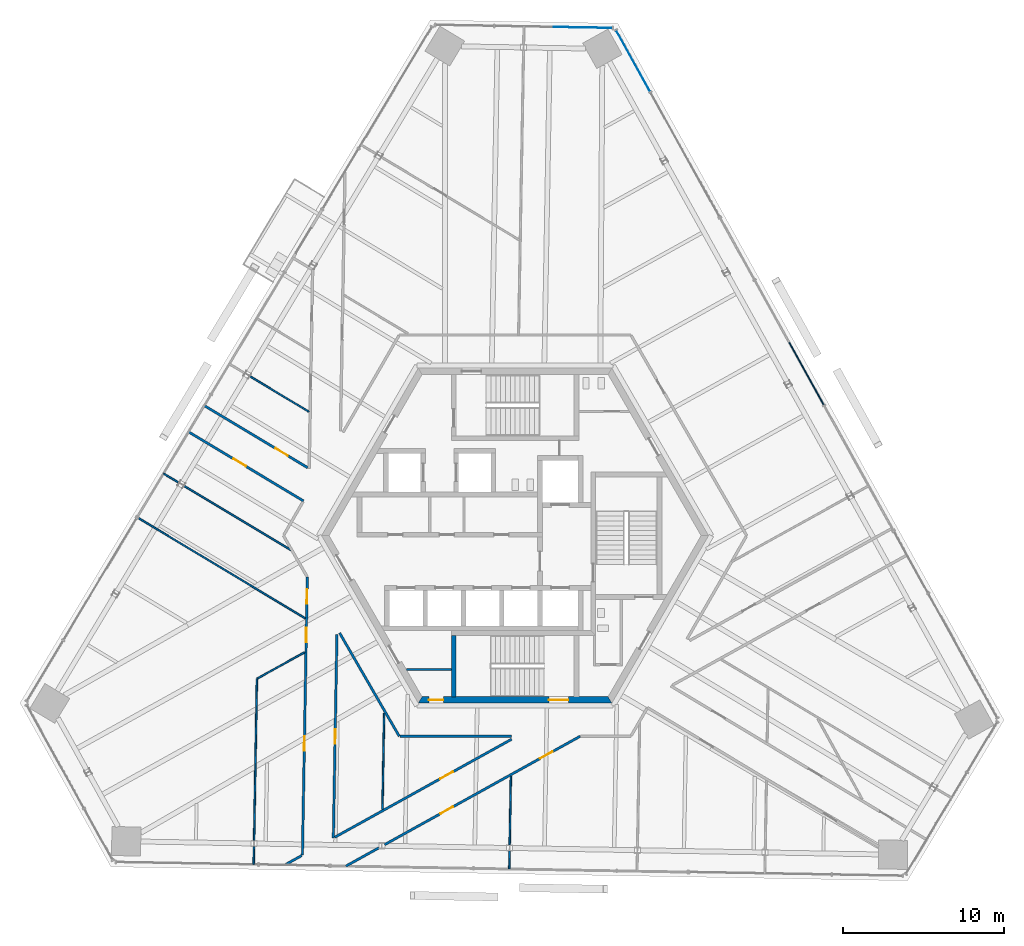
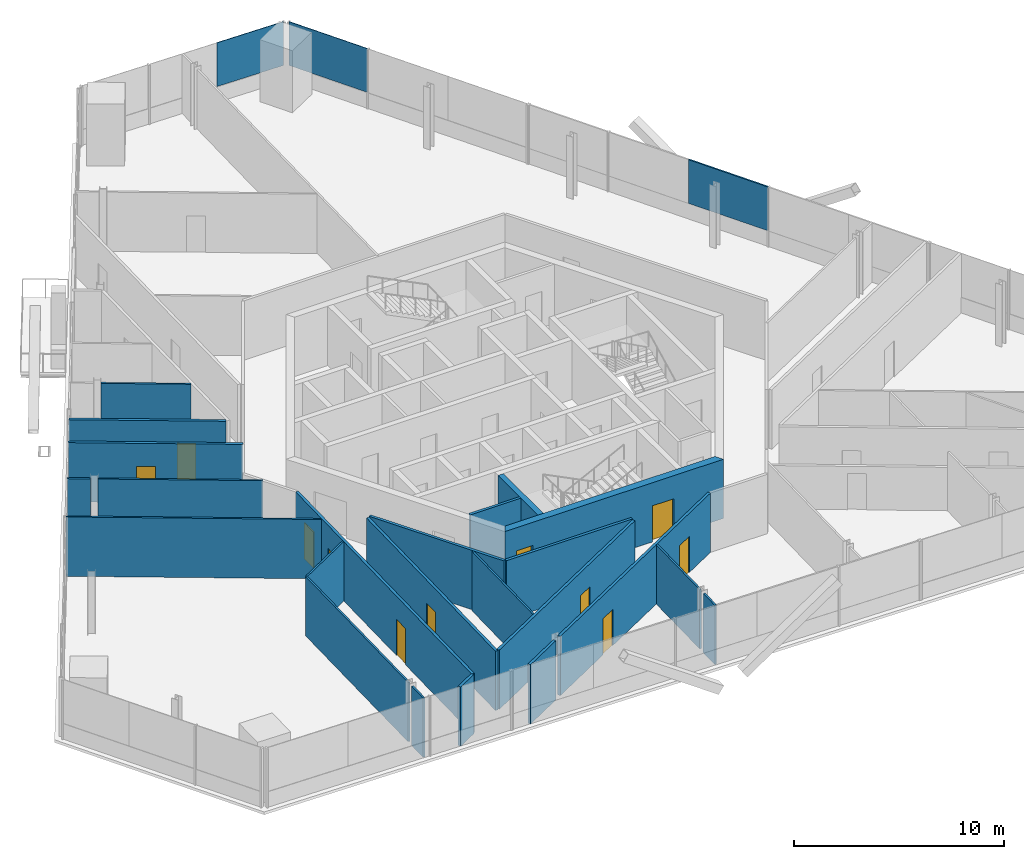
# One storey, part 11 of 18: 23 walls, 11 doors, 3 plates, 11 openings, 3 elements without a shape of their own.
"""IFC4 building model written with IfcOpenShell, lengths in metres."""

from ifc_helpers import new_model, si_unit, direction, frame, frame_2d, origin, origin_2d, place, context, subcontext, project, spatial, polyline, rectangle, outline, extrude, source, transform, mapped, material, layer, layer_set, type_object, element, fill, aggregate, save


model = new_model("IFC4")

# Units and contexts
model_context = context("Model", 3, precision=1e-05, world=origin(), true_north=direction((0.0, 1.0)))
body_context = subcontext(model_context, "Body", "Model", "MODEL_VIEW")
ifc_project = project(units=[si_unit("LENGTHUNIT", "METRE"), si_unit("AREAUNIT", "SQUARE_METRE"), si_unit("VOLUMEUNIT", "CUBIC_METRE"), si_unit("PLANEANGLEUNIT", "RADIAN"), si_unit("MASSUNIT", "GRAM", prefix="KILO")], contexts=[model_context])

# Site, building, storey
site_placement = place(None, origin())
site = spatial("IfcSite", under=ifc_project, at=site_placement, CompositionType="ELEMENT")
building_placement = place(site_placement, origin())
building = spatial("IfcBuilding", under=site, at=building_placement, Name="Triune Harvest Tower", CompositionType="ELEMENT")
storey_placement = place(building_placement, frame((0.0, 0.0, 197.89990234375)))
storey = spatial("IfcBuildingStorey", under=building, at=storey_placement, Name="L51", CompositionType="ELEMENT", Elevation=197.89990234375)

# Curtain wall, plate
ifc_material_1 = material(Name="Aluminium bronze anodised", Category="aluminium")
curtain_wall_type_1 = type_object("IfcCurtainWallType", Name="CW-1 Tower stick curtain wall", PredefinedType="NOTDEFINED", material=ifc_material_1)
curtain_wall_1_placement = place(storey_placement, origin())
curtain_wall_1 = element("IfcCurtainWall", 1, at=curtain_wall_1_placement, inside=storey, type_object=curtain_wall_type_1, Name="CW-1 B5-F2 L51 run 1")
ifc_material_2 = material(Name="Glass", Category="glass")
ifc_layer_1 = layer(ifc_material_2, 0.031982421875)
ifc_layer_set_1 = layer_set([ifc_layer_1], Name="Glass")
plate_type_1 = type_object("IfcPlateType", Name="GL-1 panel 32", PredefinedType="CURTAIN_PANEL", material=ifc_layer_set_1)
shared_shape_1 = source(origin(), body_context, "Body", "SweptSolid", [
    extrude(rectangle(XDim=3.625, YDim=0.031982421875, at=origin_2d()), origin(), (0.0, 0.0, 1.0), 2.5400390625),
])
plate_1_placement = place(storey_placement, frame((4.213134765625, 31.516357421875, 0.900146484375), z_axis=(0.0, 0.0, 1.0), x_axis=(-0.999847801404, 0.017446318452, 0.0)))
plate_1 = element("IfcPlate", 2, at=plate_1_placement, type_object=plate_type_1, Name="CW-1 panel B5-F2 1.1", PredefinedType="CURTAIN_PANEL", context=body_context, shape_type="MappedRepresentation", body=[
    mapped(shared_shape_1, transform((0.0, 0.0, 0.0), scale=1.0)),
])
aggregate(curtain_wall_1, [plate_1])

ifc_material_3 = material(Name="Aluminium bronze anodised", Category="aluminium")
curtain_wall_type_2 = type_object("IfcCurtainWallType", Name="CW-7 Tower stick curtain wall with insulated spandrel infill", PredefinedType="NOTDEFINED", material=ifc_material_3)
curtain_wall_2_placement = place(storey_placement, origin())
curtain_wall_2 = element("IfcCurtainWall", 3, at=curtain_wall_2_placement, inside=storey, type_object=curtain_wall_type_2, Name="CW-7 B5-F1 L51 run 1001")
ifc_material_4 = material(Name="Insulated spandrel panel, bronze aluminium pan", Category="aluminium")
ifc_layer_2 = layer(ifc_material_4, 0.080078125)
ifc_layer_set_2 = layer_set([ifc_layer_2], Name="Insulated spandrel panel, bronze aluminium pan")
plate_type_2 = type_object("IfcPlateType", Name="SP-1 insulated spandrel panel 80", PredefinedType="CURTAIN_PANEL", material=ifc_layer_set_2)
shared_shape_2 = source(origin(), body_context, "Body", "SweptSolid", [
    extrude(rectangle(XDim=4.40673828125, YDim=0.080078125, at=origin_2d()), origin(), (0.0, 0.0, 1.0), 2.5400390625),
])
plate_2_placement = place(storey_placement, frame((18.075439453125, 10.040771484375, 0.900146484375), z_axis=(0.0, 0.0, 1.0), x_axis=(-0.484809369748, 0.874619845993, 0.0)))
plate_2 = element("IfcPlate", 4, at=plate_2_placement, type_object=plate_type_2, Name="CW-7 panel B5-F1 1001.3", PredefinedType="CURTAIN_PANEL", context=body_context, shape_type="MappedRepresentation", body=[
    mapped(shared_shape_2, transform((0.0, 0.0, 0.0), scale=1.0)),
])
aggregate(curtain_wall_2, [plate_2])

curtain_wall_3_placement = place(storey_placement, origin())
curtain_wall_3 = element("IfcCurtainWall", 5, at=curtain_wall_3_placement, inside=storey, type_object=curtain_wall_type_1, Name="CW-1 B5-F1 L51 run 2001")
shared_shape_3 = source(origin(), body_context, "Body", "SweptSolid", [
    extrude(rectangle(XDim=4.331787109375, YDim=0.031982421875, at=origin_2d()), origin(), (0.0, 0.0, 1.0), 2.5400390625),
])
plate_3_placement = place(storey_placement, frame((7.320556640625, 29.443359375, 0.900146484375), z_axis=(0.0, 0.0, 1.0), x_axis=(-0.484807744147, 0.874620747076, 0.0)))
plate_3 = element("IfcPlate", 6, at=plate_3_placement, type_object=plate_type_1, Name="CW-1 panel B5-F1 2001.3", PredefinedType="CURTAIN_PANEL", context=body_context, shape_type="MappedRepresentation", body=[
    mapped(shared_shape_3, transform((0.0, 0.0, 0.0), scale=1.0)),
])
aggregate(curtain_wall_3, [plate_3])

# Wall
ifc_material_5 = material(Name="Gypsum board on steel studs", Category="steel")
ifc_layer_3 = layer(ifc_material_5, 0.14990234375)
ifc_layer_set_3 = layer_set([ifc_layer_3], Name="Gypsum board on steel studs")
wall_type_1 = type_object("IfcWallType", Name="Fire Partition 150 mm", PredefinedType="PARTITIONING", material=ifc_layer_set_3)
wall_1_placement = place(storey_placement, frame((-10.885498046875, -6.030517578125, 0.0), z_axis=(0.0, 0.0, 1.0), x_axis=(0.499966047133, -0.866045005594, 0.0)))
element("IfcWall", 7, at=wall_1_placement, inside=storey, type_object=wall_type_1, Name="Partition L51 003", PredefinedType="PARTITIONING", context=body_context, shape_type="SweptSolid", body=[
    extrude(rectangle(XDim=7.4033203125, YDim=0.14990234375, at=frame_2d((3.70166015625, 0.0))), origin(), (0.0, 0.0, 1.0), 3.440185546875),
])

# Wall, opening, door
wall_2_placement = place(storey_placement, frame((-20.25439453125, 6.4375, 0.0), z_axis=(0.0, 0.0, 1.0), x_axis=(0.857176827025, -0.515022220114, 0.0)))
wall_2 = element("IfcWall", 8, at=wall_2_placement, inside=storey, type_object=wall_type_1, Name="Partition L51 008", PredefinedType="PARTITIONING", context=body_context, shape_type="SweptSolid", body=[
    extrude(rectangle(XDim=8.318359375, YDim=0.14990234375, at=frame_2d((4.1591796875, 0.0))), origin(), (0.0, 0.0, 1.0), 3.440185546875),
])
opening_1_placement = place(wall_2_placement, frame((3.25, 0.0, 0.0)))
opening_1 = element("IfcOpeningElement", 9, at=opening_1_placement, cuts=wall_2, Name="Opening L51-009", PredefinedType="OPENING", context=body_context, shape_type="SweptSolid", body=[
    extrude(rectangle(XDim=0.89990234375, YDim=2.10009765625, at=frame_2d((0.449951171875, 1.050048828125))), frame((0.0, 0.0849609375, 0.0), z_axis=(0.0, -1.0, 0.0), x_axis=(1.0, 0.0, 0.0)), (0.0, 0.0, 1.0), 0.169921875),
])
ifc_material_6 = material(Name="Timber and steel door set", Category="steel")
door_type_1 = type_object("IfcDoorType", Name="Single leaf door FD30 right hand 900 x 2100", OperationType="SINGLE_SWING_RIGHT", PredefinedType="DOOR", material=ifc_material_6)
door_1_placement = place(opening_1_placement, origin())
door_1 = element("IfcDoor", 10, at=door_1_placement, inside=storey, type_object=door_type_1, Name="Door L51-009 Meeting Room 51.09", OperationType="SINGLE_SWING_RIGHT", OverallHeight=2.10009765625, OverallWidth=0.89990234375, PredefinedType="DOOR", context=body_context, shape_type="SweptSolid", body=[
    extrude(rectangle(XDim=0.89990234375, YDim=2.10009765625, at=frame_2d((0.449951171875, 1.050048828125))), frame((0.0, 0.02490234375, 0.0), z_axis=(0.0, -1.0, 0.0), x_axis=(1.0, 0.0, 0.0)), (0.0, 0.0, 1.0), 0.050048828125),
])
fill(opening_1, door_1)

wall_3_placement = place(storey_placement, frame((-19.27587890625, 8.06640625, 0.0), z_axis=(0.0, 0.0, 1.0), x_axis=(0.857170192989, -0.515033261306, 0.0)))
wall_3 = element("IfcWall", 11, at=wall_3_placement, inside=storey, type_object=wall_type_1, Name="Partition L51 010", PredefinedType="PARTITIONING", context=body_context, shape_type="SweptSolid", body=[
    extrude(rectangle(XDim=7.479736328125, YDim=0.14990234375, at=frame_2d((3.73974609375, 0.0))), origin(), (0.0, 0.0, 1.0), 3.440185546875),
])
opening_2_placement = place(wall_3_placement, frame((5.1396484375, 0.0, 0.0)))
opening_2 = element("IfcOpeningElement", 12, at=opening_2_placement, cuts=wall_3, Name="Opening L51-010", PredefinedType="OPENING", context=body_context, shape_type="SweptSolid", body=[
    extrude(rectangle(XDim=0.89990234375, YDim=2.10009765625, at=frame_2d((0.449951171875, 1.050048828125))), frame((0.0, 0.0849609375, 0.0), z_axis=(0.0, -1.0, 0.0), x_axis=(1.0, 0.0, 0.0)), (0.0, 0.0, 1.0), 0.169921875),
])
door_2_placement = place(opening_2_placement, origin())
door_2 = element("IfcDoor", 13, at=door_2_placement, inside=storey, type_object=door_type_1, Name="Door L51-010 Office 51.10", OperationType="SINGLE_SWING_RIGHT", OverallHeight=2.10009765625, OverallWidth=0.89990234375, PredefinedType="DOOR", context=body_context, shape_type="SweptSolid", body=[
    extrude(rectangle(XDim=0.89990234375, YDim=2.10009765625, at=frame_2d((0.449951171875, 1.050048828125))), frame((0.0, 0.02490234375, 0.0), z_axis=(0.0, -1.0, 0.0), x_axis=(1.0, 0.0, 0.0)), (0.0, 0.0, 1.0), 0.050048828125),
])
fill(opening_2, door_2)

# Walls
wall_4_placement = place(storey_placement, frame((-7.1435546875, -12.4423828125, 0.0), z_axis=(0.0, 0.0, 1.0), x_axis=(1.0, 0.0, 0.0)))
element("IfcWall", 14, at=wall_4_placement, inside=storey, type_object=wall_type_1, Name="Partition L51 021", PredefinedType="PARTITIONING", context=body_context, shape_type="SweptSolid", body=[
    extrude(rectangle(XDim=6.929443359375, YDim=0.14990234375, at=frame_2d((3.46484375, 0.0))), origin(), (0.0, 0.0, 1.0), 3.440185546875),
])
wall_5_placement = place(storey_placement, frame((-10.491455078125, -20.4970703125, 0.0), z_axis=(0.0, 0.0, 1.0), x_axis=(0.874638459137, 0.484775789204, 0.0)))
element("IfcWall", 15, at=wall_5_placement, inside=storey, type_object=wall_type_1, Name="Partition L51 024", PredefinedType="PARTITIONING", context=body_context, shape_type="SweptSolid", body=[
    extrude(rectangle(XDim=2.34326171875, YDim=0.14990234375, at=frame_2d((1.171630859375, 0.0))), origin(), (0.0, 0.0, 1.0), 3.440185546875),
])

# Wall, openings, doors
wall_6_placement = place(storey_placement, frame((-8.08740234375, -19.16455078125, 0.0), z_axis=(0.0, 0.0, 1.0), x_axis=(0.874621151909, 0.484807013804, 0.0)))
wall_6 = element("IfcWall", 16, at=wall_6_placement, inside=storey, type_object=wall_type_1, Name="Partition L51 025", PredefinedType="PARTITIONING", context=body_context, shape_type="SweptSolid", body=[
    extrude(rectangle(XDim=13.86572265625, YDim=0.14990234375, at=frame_2d((6.932861328125, 0.0))), origin(), (0.0, 0.0, 1.0), 3.440185546875),
])
opening_3_placement = place(wall_6_placement, frame((3.947509765625, 0.0, 0.0)))
opening_3 = element("IfcOpeningElement", 17, at=opening_3_placement, cuts=wall_6, Name="Opening L51-016", PredefinedType="OPENING", context=body_context, shape_type="SweptSolid", body=[
    extrude(rectangle(XDim=0.89990234375, YDim=2.10009765625, at=frame_2d((0.449951171875, 1.050048828125))), frame((0.0, 0.0849609375, 0.0), z_axis=(0.0, -1.0, 0.0), x_axis=(1.0, 0.0, 0.0)), (0.0, 0.0, 1.0), 0.169921875),
])
opening_4_placement = place(wall_6_placement, frame((11.0009765625, 0.0, 0.0)))
opening_4 = element("IfcOpeningElement", 18, at=opening_4_placement, cuts=wall_6, Name="Opening L51-017", PredefinedType="OPENING", context=body_context, shape_type="SweptSolid", body=[
    extrude(rectangle(XDim=0.89990234375, YDim=2.10009765625, at=frame_2d((0.449951171875, 1.050048828125))), frame((0.0, 0.0849609375, 0.0), z_axis=(0.0, -1.0, 0.0), x_axis=(1.0, 0.0, 0.0)), (0.0, 0.0, 1.0), 0.169921875),
])
ifc_material_7 = material(Name="Timber and steel door set", Category="steel")
door_type_2 = type_object("IfcDoorType", Name="Single leaf door FD30 left hand 900 x 2100", OperationType="SINGLE_SWING_LEFT", PredefinedType="DOOR", material=ifc_material_7)
door_3_placement = place(opening_4_placement, origin())
door_3 = element("IfcDoor", 19, at=door_3_placement, inside=storey, type_object=door_type_2, Name="Door L51-017 Office 51.17", OperationType="SINGLE_SWING_LEFT", OverallHeight=2.10009765625, OverallWidth=0.89990234375, PredefinedType="DOOR", context=body_context, shape_type="SweptSolid", body=[
    extrude(rectangle(XDim=0.89990234375, YDim=2.10009765625, at=frame_2d((0.449951171875, 1.050048828125))), frame((0.0, 0.02490234375, 0.0), z_axis=(0.0, -1.0, 0.0), x_axis=(1.0, 0.0, 0.0)), (0.0, 0.0, 1.0), 0.050048828125),
])
fill(opening_4, door_3)
door_4_placement = place(opening_3_placement, origin())
door_4 = element("IfcDoor", 20, at=door_4_placement, inside=storey, type_object=door_type_1, Name="Door L51-016 Open Office 51.16", OperationType="SINGLE_SWING_RIGHT", OverallHeight=2.10009765625, OverallWidth=0.89990234375, PredefinedType="DOOR", context=body_context, shape_type="SweptSolid", body=[
    extrude(rectangle(XDim=0.89990234375, YDim=2.10009765625, at=frame_2d((0.449951171875, 1.050048828125))), frame((0.0, 0.02490234375, 0.0), z_axis=(0.0, -1.0, 0.0), x_axis=(1.0, 0.0, 0.0)), (0.0, 0.0, 1.0), 0.050048828125),
])
fill(opening_3, door_4)

# Wall
wall_7_placement = place(storey_placement, frame((-14.290771484375, -20.430908203125, 0.0), z_axis=(0.0, 0.0, 1.0), x_axis=(0.874566260636, 0.484906027759, 0.0)))
element("IfcWall", 21, at=wall_7_placement, inside=storey, type_object=wall_type_1, Name="Partition L51 027", PredefinedType="PARTITIONING", context=body_context, shape_type="SweptSolid", body=[
    extrude(rectangle(XDim=1.2099609375, YDim=0.14990234375, at=frame_2d((0.60498046875, 0.0))), origin(), (0.0, 0.0, 1.0), 3.440185546875),
])

# Wall, opening, door
wall_8_placement = place(storey_placement, frame((-11.173583984375, -18.702880859375, 0.0), z_axis=(0.0, 0.0, 1.0), x_axis=(0.874621136769, 0.484807041116, 0.0)))
wall_8 = element("IfcWall", 22, at=wall_8_placement, inside=storey, type_object=wall_type_1, Name="Partition L51 028", PredefinedType="PARTITIONING", context=body_context, shape_type="SweptSolid", body=[
    extrude(rectangle(XDim=12.526611328125, YDim=0.14990234375, at=frame_2d((6.26318359375, 0.0))), origin(), (0.0, 0.0, 1.0), 3.440185546875),
])
opening_5_placement = place(wall_8_placement, frame((7.47314453125, 0.0, 0.0)))
opening_5 = element("IfcOpeningElement", 23, at=opening_5_placement, cuts=wall_8, Name="Opening L51-015", PredefinedType="OPENING", context=body_context, shape_type="SweptSolid", body=[
    extrude(rectangle(XDim=0.89990234375, YDim=2.10009765625, at=frame_2d((0.449951171875, 1.050048828125))), frame((0.0, 0.0849609375, 0.0), z_axis=(0.0, -1.0, 0.0), x_axis=(1.0, 0.0, 0.0)), (0.0, 0.0, 1.0), 0.169921875),
])
door_5_placement = place(opening_5_placement, origin())
door_5 = element("IfcDoor", 24, at=door_5_placement, inside=storey, type_object=door_type_1, Name="Door L51-015 Open Office 51.15", OperationType="SINGLE_SWING_RIGHT", OverallHeight=2.10009765625, OverallWidth=0.89990234375, PredefinedType="DOOR", context=body_context, shape_type="SweptSolid", body=[
    extrude(rectangle(XDim=0.89990234375, YDim=2.10009765625, at=frame_2d((0.449951171875, 1.050048828125))), frame((0.0, 0.02490234375, 0.0), z_axis=(0.0, -1.0, 0.0), x_axis=(1.0, 0.0, 0.0)), (0.0, 0.0, 1.0), 0.050048828125),
])
fill(opening_5, door_5)

wall_9_placement = place(storey_placement, frame((-11.27001953125, -18.75634765625, 0.0), z_axis=(0.0, 0.0, 1.0), x_axis=(0.017464922205, 0.999847476615, 0.0)))
wall_9 = element("IfcWall", 25, at=wall_9_placement, inside=storey, type_object=wall_type_1, Name="Partition L51 047", PredefinedType="PARTITIONING", context=body_context, shape_type="SweptSolid", body=[
    extrude(rectangle(XDim=12.636962890625, YDim=0.14990234375, at=frame_2d((6.318359375, 0.0))), origin(), (0.0, 0.0, 1.0), 3.440185546875),
])
opening_6_placement = place(wall_9_placement, frame((5.85009765625, 0.0, 0.0)))
opening_6 = element("IfcOpeningElement", 26, at=opening_6_placement, cuts=wall_9, Name="Opening L51-014", PredefinedType="OPENING", context=body_context, shape_type="SweptSolid", body=[
    extrude(rectangle(XDim=0.89990234375, YDim=2.10009765625, at=frame_2d((0.449951171875, 1.050048828125))), frame((0.0, 0.0849609375, 0.0), z_axis=(0.0, -1.0, 0.0), x_axis=(1.0, 0.0, 0.0)), (0.0, 0.0, 1.0), 0.169921875),
])
door_6_placement = place(opening_6_placement, origin())
door_6 = element("IfcDoor", 27, at=door_6_placement, inside=storey, type_object=door_type_1, Name="Door L51-014 Meeting Room 51.14", OperationType="SINGLE_SWING_RIGHT", OverallHeight=2.10009765625, OverallWidth=0.89990234375, PredefinedType="DOOR", context=body_context, shape_type="SweptSolid", body=[
    extrude(rectangle(XDim=0.89990234375, YDim=2.10009765625, at=frame_2d((0.449951171875, 1.050048828125))), frame((0.0, 0.02490234375, 0.0), z_axis=(0.0, -1.0, 0.0), x_axis=(1.0, 0.0, 0.0)), (0.0, 0.0, 1.0), 0.050048828125),
])
fill(opening_6, door_6)

# Wall, openings, doors
wall_10_placement = place(storey_placement, frame((-13.188720703125, -19.820068359375, 0.0), z_axis=(0.0, 0.0, 1.0), x_axis=(0.017440687834, 0.999847899637, 0.0)))
wall_10 = element("IfcWall", 28, at=wall_10_placement, inside=storey, type_object=wall_type_1, Name="Partition L51 049", PredefinedType="PARTITIONING", context=body_context, shape_type="SweptSolid", body=[
    extrude(rectangle(XDim=17.260009765625, YDim=0.14990234375, at=frame_2d((8.6298828125, 0.0))), origin(), (0.0, 0.0, 1.0), 3.440185546875),
])
opening_7_placement = place(wall_10_placement, frame((13.19580078125, 0.0, 0.0)))
opening_7 = element("IfcOpeningElement", 29, at=opening_7_placement, cuts=wall_10, Name="Opening L51-011", PredefinedType="OPENING", context=body_context, shape_type="SweptSolid", body=[
    extrude(rectangle(XDim=0.89990234375, YDim=2.10009765625, at=frame_2d((0.449951171875, 1.050048828125))), frame((0.0, 0.0849609375, 0.0), z_axis=(0.0, -1.0, 0.0), x_axis=(1.0, 0.0, 0.0)), (0.0, 0.0, 1.0), 0.169921875),
])
opening_8_placement = place(wall_10_placement, frame((15.60986328125, 0.0, 0.0)))
opening_8 = element("IfcOpeningElement", 30, at=opening_8_placement, cuts=wall_10, Name="Opening L51-012", PredefinedType="OPENING", context=body_context, shape_type="SweptSolid", body=[
    extrude(rectangle(XDim=0.89990234375, YDim=2.10009765625, at=frame_2d((0.449951171875, 1.050048828125))), frame((0.0, 0.0849609375, 0.0), z_axis=(0.0, -1.0, 0.0), x_axis=(1.0, 0.0, 0.0)), (0.0, 0.0, 1.0), 0.169921875),
])
opening_9_placement = place(wall_10_placement, frame((6.4833984375, 0.0, 0.0)))
opening_9 = element("IfcOpeningElement", 31, at=opening_9_placement, cuts=wall_10, Name="Opening L51-013", PredefinedType="OPENING", context=body_context, shape_type="SweptSolid", body=[
    extrude(rectangle(XDim=0.89990234375, YDim=2.10009765625, at=frame_2d((0.449951171875, 1.050048828125))), frame((0.0, 0.0849609375, 0.0), z_axis=(0.0, -1.0, 0.0), x_axis=(1.0, 0.0, 0.0)), (0.0, 0.0, 1.0), 0.169921875),
])
door_7_placement = place(opening_9_placement, origin())
door_7 = element("IfcDoor", 32, at=door_7_placement, inside=storey, type_object=door_type_2, Name="Door L51-013 Office 51.13", OperationType="SINGLE_SWING_LEFT", OverallHeight=2.10009765625, OverallWidth=0.89990234375, PredefinedType="DOOR", context=body_context, shape_type="SweptSolid", body=[
    extrude(rectangle(XDim=0.89990234375, YDim=2.10009765625, at=frame_2d((0.449951171875, 1.050048828125))), frame((0.0, 0.02490234375, 0.0), z_axis=(0.0, -1.0, 0.0), x_axis=(1.0, 0.0, 0.0)), (0.0, 0.0, 1.0), 0.050048828125),
])
fill(opening_9, door_7)
door_8_placement = place(opening_7_placement, origin())
door_8 = element("IfcDoor", 33, at=door_8_placement, inside=storey, type_object=door_type_1, Name="Door L51-011 Office 51.11", OperationType="SINGLE_SWING_RIGHT", OverallHeight=2.10009765625, OverallWidth=0.89990234375, PredefinedType="DOOR", context=body_context, shape_type="SweptSolid", body=[
    extrude(rectangle(XDim=0.89990234375, YDim=2.10009765625, at=frame_2d((0.449951171875, 1.050048828125))), frame((0.0, 0.02490234375, 0.0), z_axis=(0.0, -1.0, 0.0), x_axis=(1.0, 0.0, 0.0)), (0.0, 0.0, 1.0), 0.050048828125),
])
fill(opening_7, door_8)
door_9_placement = place(opening_8_placement, origin())
door_9 = element("IfcDoor", 34, at=door_9_placement, inside=storey, type_object=door_type_1, Name="Door L51-012 Office 51.12", OperationType="SINGLE_SWING_RIGHT", OverallHeight=2.10009765625, OverallWidth=0.89990234375, PredefinedType="DOOR", context=body_context, shape_type="SweptSolid", body=[
    extrude(rectangle(XDim=0.89990234375, YDim=2.10009765625, at=frame_2d((0.449951171875, 1.050048828125))), frame((0.0, 0.02490234375, 0.0), z_axis=(0.0, -1.0, 0.0), x_axis=(1.0, 0.0, 0.0)), (0.0, 0.0, 1.0), 0.050048828125),
])
fill(opening_8, door_9)

# Walls
ifc_material_8 = material(Name="Gypsum board on steel studs", Category="steel")
ifc_layer_4 = layer(ifc_material_8, 0.10009765625)
ifc_layer_set_4 = layer_set([ifc_layer_4], Name="Gypsum board on steel studs")
wall_type_2 = type_object("IfcWallType", Name="Partition 100 mm", PredefinedType="PARTITIONING", material=ifc_layer_set_4)
wall_11_placement = place(storey_placement, frame((-23.439697265625, 1.136474609375, 0.0), z_axis=(0.0, 0.0, 1.0), x_axis=(0.85717761864, -0.515020902588, 0.0)))
element("IfcWall", 35, at=wall_11_placement, inside=storey, type_object=wall_type_2, Name="Partition L51 005", PredefinedType="PARTITIONING", context=body_context, shape_type="SweptSolid", body=[
    extrude(rectangle(XDim=12.167236328125, YDim=0.10009765625, at=frame_2d((6.08349609375, 0.0))), origin(), (0.0, 0.0, 1.0), 3.440185546875),
])
wall_12_placement = place(storey_placement, frame((-20.543212890625, 3.095458984375, 0.0), z_axis=(0.0, 0.0, 1.0), x_axis=(0.857157531594, -0.515054333087, 0.0)))
element("IfcWall", 36, at=wall_12_placement, inside=storey, type_object=wall_type_2, Name="Partition L51 007", PredefinedType="PARTITIONING", context=body_context, shape_type="SweptSolid", body=[
    extrude(rectangle(XDim=7.840087890625, YDim=0.10009765625, at=frame_2d((3.919921875, 0.0))), origin(), (0.0, 0.0, 1.0), 3.440185546875),
])
wall_13_placement = place(storey_placement, frame((-15.994384765625, -8.86572265625, 0.0), z_axis=(0.0, 0.0, 1.0), x_axis=(0.874638718948, 0.48477532045, 0.0)))
element("IfcWall", 37, at=wall_13_placement, inside=storey, type_object=wall_type_2, Name="Partition L51 032", PredefinedType="PARTITIONING", context=body_context, shape_type="SweptSolid", body=[
    extrude(rectangle(XDim=3.36962890625, YDim=0.10009765625, at=frame_2d((1.684814453125, 0.0))), origin(), (0.0, 0.0, 1.0), 3.440185546875),
])
wall_14_placement = place(storey_placement, frame((-8.224853515625, -16.979248046875, 0.0), z_axis=(0.0, 0.0, 1.0), x_axis=(0.017475840813, 0.999847285833, 0.0)))
element("IfcWall", 38, at=wall_14_placement, inside=storey, type_object=wall_type_2, Name="Partition L51 046", PredefinedType="PARTITIONING", context=body_context, shape_type="SweptSolid", body=[
    extrude(rectangle(XDim=5.96533203125, YDim=0.10009765625, at=frame_2d((2.982666015625, 0.0))), origin(), (0.0, 0.0, 1.0), 3.440185546875),
])

# Wall, openings, doors
ifc_material_9 = material(Name="Concrete 70 MPa", Category="concrete")
ifc_layer_5 = layer(ifc_material_9, 0.39990234375)
ifc_layer_set_5 = layer_set([ifc_layer_5], Name="Concrete 70 MPa")
wall_type_3 = type_object("IfcWallType", Name="Core wall 400", PredefinedType="SHEAR", material=ifc_layer_set_5)
shared_shape_4 = source(origin(), body_context, "Body", "SweptSolid", [
    extrude(outline(polyline([(-0.115478515625, -0.199951171875), (11.884521484375, -0.199951171875), (11.653564453125, 0.199951171875), (0.115478515625, 0.199951171875), (-0.115478515625, -0.199951171875)])), origin(), (0.0, 0.0, 1.0), 3.440185546875),
])
wall_15_placement = place(storey_placement, frame((-5.884521484375, -10.1923828125, 0.0), z_axis=(0.0, 0.0, 1.0), x_axis=(1.0, 0.0, 0.0)))
wall_15 = element("IfcWall", 39, at=wall_15_placement, inside=storey, type_object=wall_type_3, Name="Hexagon 4 wall", PredefinedType="SHEAR", context=body_context, shape_type="MappedRepresentation", body=[
    mapped(shared_shape_4, transform((0.0, 0.0, 0.0), scale=1.0)),
])
opening_10_placement = place(wall_15_placement, frame((7.984619140625, 0.0, 0.0)))
opening_10 = element("IfcOpeningElement", 40, at=opening_10_placement, cuts=wall_15, Name="Opening CD-S2P", PredefinedType="OPENING", context=body_context, shape_type="SweptSolid", body=[
    extrude(rectangle(XDim=1.199951171875, YDim=2.10009765625, at=frame_2d((0.60009765625, 1.050048828125))), frame((0.0, 0.2099609375, 0.0), z_axis=(0.0, -1.0, 0.0), x_axis=(1.0, 0.0, 0.0)), (0.0, 0.0, 1.0), 0.419921875),
])
opening_11_placement = place(wall_15_placement, frame((0.534423828125, 0.0, 0.0)))
opening_11 = element("IfcOpeningElement", 41, at=opening_11_placement, cuts=wall_15, Name="Opening CD-SWS", PredefinedType="OPENING", context=body_context, shape_type="SweptSolid", body=[
    extrude(rectangle(XDim=0.89990234375, YDim=2.10009765625, at=frame_2d((0.449951171875, 1.050048828125))), frame((0.0, 0.2099609375, 0.0), z_axis=(0.0, -1.0, 0.0), x_axis=(1.0, 0.0, 0.0)), (0.0, 0.0, 1.0), 0.419921875),
])
ifc_material_10 = material(Name="Steel S235", Category="steel")
door_type_3 = type_object("IfcDoorType", Name="Riser door 900 FD120", OperationType="SINGLE_SWING_LEFT", PredefinedType="DOOR", material=ifc_material_10)
door_10_placement = place(opening_11_placement, frame((0.89990234375, 0.0, 0.0), z_axis=(0.0, 0.0, 1.0), x_axis=(-1.0, 0.0, 0.0)))
door_10 = element("IfcDoor", 42, at=door_10_placement, inside=storey, type_object=door_type_3, Name="Door CD-SWS", OperationType="SINGLE_SWING_RIGHT", OverallHeight=2.10009765625, OverallWidth=0.89990234375, PredefinedType="DOOR", context=body_context, shape_type="SweptSolid", body=[
    extrude(rectangle(XDim=0.89990234375, YDim=2.10009765625, at=frame_2d((0.449951171875, 1.050048828125))), frame((0.0, 0.02490234375, 0.0), z_axis=(0.0, -1.0, 0.0), x_axis=(1.0, 0.0, 0.0)), (0.0, 0.0, 1.0), 0.050048828125),
])
fill(opening_11, door_10)
ifc_material_11 = material(Name="Steel S235", Category="steel")
door_type_4 = type_object("IfcDoorType", Name="Stair door 1200 FD120", OperationType="SINGLE_SWING_LEFT", PredefinedType="DOOR", material=ifc_material_11)
door_11_placement = place(opening_10_placement, frame((1.199951171875, 0.0, 0.0), z_axis=(0.0, 0.0, 1.0), x_axis=(-1.0, 0.0, 0.0)))
door_11 = element("IfcDoor", 43, at=door_11_placement, inside=storey, type_object=door_type_4, Name="Door CD-S2P", OperationType="SINGLE_SWING_RIGHT", OverallHeight=2.10009765625, OverallWidth=1.199951171875, PredefinedType="DOOR", context=body_context, shape_type="SweptSolid", body=[
    extrude(rectangle(XDim=1.199951171875, YDim=2.10009765625, at=frame_2d((0.60009765625, 1.050048828125))), frame((0.0, 0.02490234375, 0.0), z_axis=(0.0, -1.0, 0.0), x_axis=(1.0, 0.0, 0.0)), (0.0, 0.0, 1.0), 0.050048828125),
])
fill(opening_10, door_11)

# Walls
ifc_material_12 = material(Name="Concrete 70 MPa", Category="concrete")
ifc_layer_6 = layer(ifc_material_12, 0.300048828125)
ifc_layer_set_6 = layer_set([ifc_layer_6], Name="Concrete 70 MPa")
wall_type_4 = type_object("IfcWallType", Name="Core wall 300", PredefinedType="SHEAR", material=ifc_layer_set_6)
shared_shape_5 = source(origin(), body_context, "Body", "SweptSolid", [
    extrude(outline(polyline([(3.800048828125, -0.14990234375), (-0.00439453125, -0.14990234375), (-0.00439453125, 0.14990234375), (3.800048828125, 0.14990234375), (3.800048828125, -0.14990234375)])), origin(), (0.0, 0.0, 1.0), 3.440185546875),
])
wall_16_placement = place(storey_placement, frame((-3.800048828125, -9.989990234375, 0.0), z_axis=(0.0, 0.0, 1.0), x_axis=(0.0, 1.0, 0.0)))
element("IfcWall", 44, at=wall_16_placement, inside=storey, type_object=wall_type_4, Name="Stair s west wall", PredefinedType="SHEAR", context=body_context, shape_type="MappedRepresentation", body=[
    mapped(shared_shape_5, transform((0.0, 0.0, 0.0), scale=1.0)),
])
ifc_material_13 = material(Name="Concrete masonry unit", Category="masonry")
ifc_layer_7 = layer(ifc_material_13, 0.14990234375)
ifc_layer_set_7 = layer_set([ifc_layer_7], Name="Concrete masonry unit")
wall_type_5 = type_object("IfcWallType", Name="Block partition 150", PredefinedType="PARTITIONING", material=ifc_layer_set_7)
shared_shape_6 = source(origin(), body_context, "Body", "SweptSolid", [
    extrude(rectangle(XDim=2.777099609375, YDim=0.14990234375, at=frame_2d((1.388671875, 0.0))), origin(), (0.0, 0.0, 1.0), 3.440185546875),
])
wall_17_placement = place(storey_placement, frame((-6.72705078125, -8.300048828125, 0.0), z_axis=(0.0, 0.0, 1.0), x_axis=(1.0, 0.0, 0.0)))
element("IfcWall", 45, at=wall_17_placement, inside=storey, type_object=wall_type_5, Name="Sw part wall", PredefinedType="PARTITIONING", context=body_context, shape_type="MappedRepresentation", body=[
    mapped(shared_shape_6, transform((0.0, 0.0, 0.0), scale=1.0)),
])
shared_shape_7 = source(origin(), body_context, "Body", "SweptSolid", [
    extrude(rectangle(XDim=1.13037109375, YDim=0.10009765625, at=frame_2d((0.565185546875, 0.0))), origin(), (0.0, 0.0, 1.0), 3.440185546875),
])
for number, where, z_axis, x_axis, name in (
    (46, (-21.806396484375, 3.8544921875, 0.0), (0.0, 0.0, 1.0), (0.857149738065, -0.515067302919, 0.0), "Partition L51 006"),
    (47, (-0.36083984375, -20.673828125, 0.0), (0.0, 0.0, 1.0), (0.017495701451, 0.999846938501, 0.0), "Partition L51 042"),
):
    element("IfcWall", number, at=place(storey_placement, frame(where, z_axis=z_axis, x_axis=x_axis)), inside=storey, type_object=wall_type_2, Name=name, PredefinedType="PARTITIONING", context=body_context, shape_type="MappedRepresentation", body=[
        mapped(shared_shape_7, transform((0.0, 0.0, 0.0), scale=1.0)),
    ])
shared_shape_8 = source(origin(), body_context, "Body", "SweptSolid", [
    extrude(rectangle(XDim=1.130615234375, YDim=0.10009765625, at=frame_2d((0.5654296875, 0.0))), origin(), (0.0, 0.0, 1.0), 3.440185546875),
])
wall_18_placement = place(storey_placement, frame((-16.212890625, -20.397216796875, 0.0), z_axis=(0.0, 0.0, 1.0), x_axis=(0.017491923839, 0.999847004596, 0.0)))
element("IfcWall", 48, at=wall_18_placement, inside=storey, type_object=wall_type_2, Name="Partition L51 051", PredefinedType="PARTITIONING", context=body_context, shape_type="MappedRepresentation", body=[
    mapped(shared_shape_8, transform((0.0, 0.0, 0.0), scale=1.0)),
])
shared_shape_9 = source(origin(), body_context, "Body", "SweptSolid", [
    extrude(rectangle(XDim=10.049560546875, YDim=0.10009765625, at=frame_2d((5.02490234375, 0.0))), origin(), (0.0, 0.0, 1.0), 3.440185546875),
])
wall_19_placement = place(storey_placement, frame((-16.187255859375, -18.923583984375, 0.0), z_axis=(0.0, 0.0, 1.0), x_axis=(0.017467024061, 0.999847439898, 0.0)))
element("IfcWall", 49, at=wall_19_placement, inside=storey, type_object=wall_type_2, Name="Partition L51 052", PredefinedType="PARTITIONING", context=body_context, shape_type="MappedRepresentation", body=[
    mapped(shared_shape_9, transform((0.0, 0.0, 0.0), scale=1.0)),
])
shared_shape_10 = source(origin(), body_context, "Body", "SweptSolid", [
    extrude(rectangle(XDim=4.285888671875, YDim=0.10009765625, at=frame_2d((2.14306640625, 0.0))), origin(), (0.0, 0.0, 1.0), 3.440185546875),
])
for number, where, z_axis, x_axis, name in (
    (50, (-16.46044921875, 9.890380859375, 0.0), (0.0, 0.0, 1.0), (0.857186175999, -0.515006659836, 0.0), "Partition L51 013"),
    (51, (-0.335205078125, -19.200439453125, 0.0), (0.0, 0.0, 1.0), (0.017488209341, 0.999847069573, 0.0), "Partition L51 043"),
):
    element("IfcWall", number, at=place(storey_placement, frame(where, z_axis=z_axis, x_axis=x_axis)), inside=storey, type_object=wall_type_2, Name=name, PredefinedType="PARTITIONING", context=body_context, shape_type="MappedRepresentation", body=[
        mapped(shared_shape_10, transform((0.0, 0.0, 0.0), scale=1.0)),
    ])

save(model, "model.ifc")
